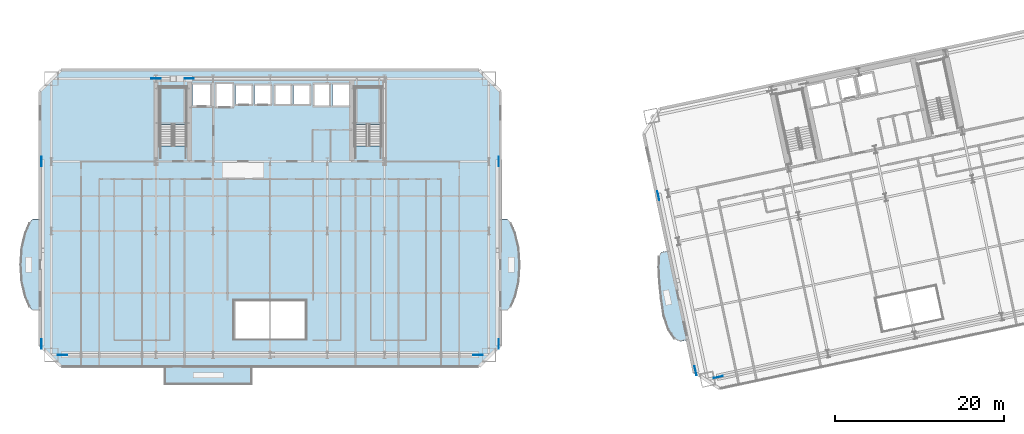
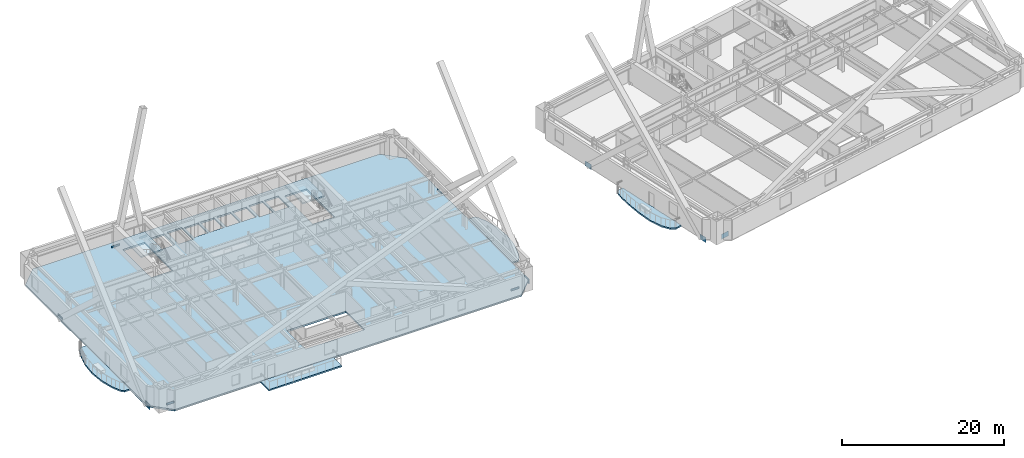
# One storey, part 5 of 20: 11 plates, 7 slabs, 2 elements without a shape of their own.
"""IFC4 building model written with IfcOpenShell, lengths in metres."""

from ifc_helpers import new_model, si_unit, direction, frame, origin, origin_2d, place, context, subcontext, project, spatial, polyline, rectangle, outline, extrude, material, layer, layer_set, type_object, element, aggregate, save


model = new_model("IFC4")

# Units and contexts
model_context = context("Model", 3, precision=1e-05, world=origin(), true_north=direction((0.0, 1.0)))
body_context = subcontext(model_context, "Body", "Model", "MODEL_VIEW")
ifc_project = project(units=[si_unit("LENGTHUNIT", "METRE"), si_unit("AREAUNIT", "SQUARE_METRE"), si_unit("VOLUMEUNIT", "CUBIC_METRE"), si_unit("PLANEANGLEUNIT", "RADIAN"), si_unit("MASSUNIT", "GRAM", prefix="KILO")], contexts=[model_context])

# Site, building, storey
site_placement = place(None, origin())
site = spatial("IfcSite", under=ifc_project, at=site_placement, CompositionType="ELEMENT")
building_placement = place(site_placement, origin())
building = spatial("IfcBuilding", under=site, at=building_placement, Name="Haevon Station Towers", CompositionType="ELEMENT")
storey_placement = place(building_placement, frame((0.0, 0.0, 30.60009765625)))
storey = spatial("IfcBuildingStorey", under=building, at=storey_placement, Name="L06", CompositionType="ELEMENT", Elevation=30.60009765625)

# Plates
ifc_material_1 = material(Name="PL-SPL1", Category="steel")
ifc_layer_1 = layer(ifc_material_1, 0.031982421875)
ifc_layer_set_1 = layer_set([ifc_layer_1], Name="PL-SPL1")
plate_type = type_object("IfcPlateType", Name="PL-SPL1", PredefinedType="USERDEFINED", material=ifc_layer_set_1)
for number, where, z_axis, x_axis, name in (
    (1, (12.949951171875, 15.35009765625, -0.4951171875), (0.0, 0.0, 1.0), (1.0, 0.0, 0.0), "PL-T1SPL-T00-S-1"),
    (2, (62.050048828125, 15.35009765625, -0.4951171875), (0.0, 0.0, 1.0), (1.0, 0.0, 0.0), "PL-T1SPL-T00-S-2"),
    (3, (24.0, 48.0, -0.4951171875), (0.0, 0.0, 1.0), (1.0, 0.0, 0.0), "PL-T1SPL-T00-N-1"),
    (4, (27.949951171875, 48.0, -0.4951171875), (0.0, 0.0, 1.0), (1.0, 0.0, 0.0), "PL-T1SPL-T00-N-2"),
    (5, (10.47998046875, 16.64990234375, -0.4951171875), (0.0, 0.0, 1.0), (0.0, 1.0, 0.0), "PL-T1SPL-T00-W-1"),
    (6, (10.47998046875, 38.199951171875, -0.4951171875), (0.0, 0.0, 1.0), (0.0, 1.0, 0.0), "PL-T1SPL-T00-W-2"),
    (7, (64.52001953125, 16.64990234375, -0.4951171875), (0.0, 0.0, 1.0), (0.0, 1.0, 0.0), "PL-T1SPL-T00-E-1"),
    (8, (64.52001953125, 38.199951171875, -0.4951171875), (0.0, 0.0, 1.0), (0.0, 1.0, 0.0), "PL-T1SPL-T00-E-2"),
    (9, (90.45947265625, 12.728271484375, -0.4951171875), (0.0, 0.0, 1.0), (0.978147600734, 0.207911690818, 0.0), "PL-T2SPL-T00-S-1"),
    (10, (87.773193359375, 13.486328125, -0.4951171875), (0.0, 0.0, 1.0), (-0.207911690818, 0.978147600734, 0.0), "PL-T2SPL-T00-W-1"),
    (11, (83.3759765625, 34.174072265625, -0.4951171875), (0.0, 0.0, 1.0), (-0.207911690818, 0.978147600734, 0.0), "PL-T2SPL-T00-W-2"),
):
    element("IfcPlate", number, at=place(storey_placement, frame(where, z_axis=z_axis, x_axis=x_axis)), inside=storey, type_object=plate_type, Name=name, ObjectType="SPLICE_PLATE", PredefinedType="USERDEFINED", context=body_context, shape_type="SweptSolid", body=[
        extrude(rectangle(XDim=1.10009765625, YDim=0.031982421875, at=origin_2d()), origin(), (0.0, 0.0, 1.0), 0.75),
    ])

# Slabs
ifc_material_2 = material(Name="Concrete C40/50", Category="concrete")
ifc_layer_2 = layer(ifc_material_2, 0.219970703125)
ifc_layer_set_2 = layer_set([ifc_layer_2], Name="Concrete C40/50")
slab_type_1 = type_object("IfcSlabType", Name="SL-BALC220", PredefinedType="FLOOR", material=ifc_layer_set_2)
slab_1_placement = place(storey_placement, frame((0.0, 0.0, -0.22021484375)))
element("IfcSlab", 12, at=slab_1_placement, inside=storey, type_object=slab_type_1, Name="Tower 1 L06 West SCALLOPED BALCONY", PredefinedType="FLOOR", context=body_context, shape_type="SweptSolid", body=[
    extrude(outline(polyline([(10.294921875, 31.39990234375), (9.445068359375, 31.39990234375), (9.06201171875, 30.989013671875), (8.5517578125, 29.818359375), (8.1162109375, 28.06640625), (7.941162109375, 26.0), (8.1162109375, 23.93359375), (8.5517578125, 22.181640625), (9.06201171875, 21.010986328125), (9.445068359375, 20.60009765625), (10.294921875, 20.60009765625), (10.294921875, 31.39990234375)])), origin(), (0.0, 0.0, 1.0), 0.22021484375),
])
slab_2_placement = place(storey_placement, frame((0.0, 0.0, -0.22021484375)))
element("IfcSlab", 13, at=slab_2_placement, inside=storey, type_object=slab_type_1, Name="Tower 1 L06 East SCALLOPED BALCONY", PredefinedType="FLOOR", context=body_context, shape_type="SweptSolid", body=[
    extrude(outline(polyline([(64.705078125, 20.60009765625), (65.554931640625, 20.60009765625), (65.93798828125, 21.010986328125), (66.4482421875, 22.181640625), (66.8837890625, 23.93359375), (67.058837890625, 26.0), (66.8837890625, 28.06640625), (66.4482421875, 29.818359375), (65.93798828125, 30.989013671875), (65.554931640625, 31.39990234375), (64.705078125, 31.39990234375), (64.705078125, 20.60009765625)])), origin(), (0.0, 0.0, 1.0), 0.22021484375),
])
slab_3_placement = place(storey_placement, frame((0.0, 0.0, -0.22021484375)))
element("IfcSlab", 14, at=slab_3_placement, inside=storey, type_object=slab_type_1, Name="Tower 1 L06 Planted Balcony Band", PredefinedType="FLOOR", context=body_context, shape_type="SweptSolid", body=[
    extrude(outline(polyline([(25.0, 11.89990234375), (35.39990234375, 11.89990234375), (35.39990234375, 13.9951171875), (25.0, 13.9951171875), (25.0, 11.89990234375)])), origin(), (0.0, 0.0, 1.0), 0.22021484375),
])
slab_4_placement = place(storey_placement, frame((0.0, 0.0, -0.22021484375)))
element("IfcSlab", 15, at=slab_4_placement, inside=storey, type_object=slab_type_1, Name="Tower 2 L06 West SCALLOPED BALCONY", PredefinedType="FLOOR", context=body_context, shape_type="SweptSolid", body=[
    extrude(outline(polyline([(84.567138671875, 27.6796875), (83.704345703125, 27.496337890625), (83.446533203125, 27.021484375), (83.396728515625, 25.814208984375), (83.464599609375, 24.037353515625), (83.6357421875, 21.961181640625), (83.98828125, 19.923583984375), (84.572509765625, 18.256591796875), (85.2958984375, 17.213623046875), (85.949951171875, 16.932373046875), (86.8125, 17.11572265625), (84.567138671875, 27.6796875)])), origin(), (0.0, 0.0, 1.0), 0.22021484375),
])

# Stair, slab
stair_type = type_object("IfcStairType", Name="STR-DL1450", PredefinedType="USERDEFINED", material=ifc_material_2)
stair_1_placement = place(storey_placement, origin())
stair_1 = element("IfcStair", 16, at=stair_1_placement, inside=storey, type_object=stair_type, Name="L06 Escape Stair ST1", ObjectType="TWO_RETURN_STAIR", PredefinedType="USERDEFINED")
ifc_layer_3 = layer(ifc_material_2, 0.199951171875)
ifc_layer_set_3 = layer_set([ifc_layer_3], Name="Concrete C40/50")
slab_type_2 = type_object("IfcSlabType", Name="SL-LND200", PredefinedType="LANDING", material=ifc_layer_set_3)
slab_5_placement = place(storey_placement, frame((0.0, 0.0, 1.449951171875)))
slab_5 = element("IfcSlab", 17, at=slab_5_placement, type_object=slab_type_2, Name="L06 ST1 Half Landing 1", PredefinedType="LANDING", context=body_context, shape_type="SweptSolid", body=[
    extrude(outline(polyline([(27.580078125, 42.56396484375), (27.580078125, 47.0), (24.47998046875, 47.0), (24.47998046875, 42.56396484375), (27.580078125, 42.56396484375)])), origin(), (0.0, 0.0, 1.0), 0.199951171875),
])
aggregate(stair_1, [slab_5])

stair_2_placement = place(storey_placement, origin())
stair_2 = element("IfcStair", 18, at=stair_2_placement, inside=storey, type_object=stair_type, Name="L06 Escape Stair ST2", ObjectType="TWO_RETURN_STAIR", PredefinedType="USERDEFINED")
slab_6_placement = place(storey_placement, frame((0.0, 0.0, 1.449951171875)))
slab_6 = element("IfcSlab", 19, at=slab_6_placement, type_object=slab_type_2, Name="L06 ST2 Half Landing 1", PredefinedType="LANDING", context=body_context, shape_type="SweptSolid", body=[
    extrude(outline(polyline([(50.6201171875, 42.56396484375), (50.6201171875, 47.0), (47.52001953125, 47.0), (47.52001953125, 42.56396484375), (50.6201171875, 42.56396484375)])), origin(), (0.0, 0.0, 1.0), 0.199951171875),
])
aggregate(stair_2, [slab_6])

# Slab
ifc_layer_4 = layer(ifc_material_2, 0.25)
ifc_layer_set_4 = layer_set([ifc_layer_4], Name="Concrete C40/50")
slab_type_3 = type_object("IfcSlabType", Name="SL-TW250", PredefinedType="FLOOR", material=ifc_layer_set_4)
slab_7_placement = place(storey_placement, frame((0.0, 0.0, -0.25)))
element("IfcSlab", 20, at=slab_7_placement, inside=storey, type_object=slab_type_3, Name="SL-T1-L06", PredefinedType="FLOOR", context=body_context, shape_type="SweptSolid", body=[
    extrude(outline(polyline([(12.800048828125, 14.0), (62.199951171875, 14.0), (64.699951171875, 16.5), (64.699951171875, 46.5), (62.199951171875, 49.0), (12.800048828125, 49.0), (10.300048828125, 46.5), (10.300048828125, 16.5), (12.800048828125, 14.0)]), holes=[polyline([(27.580078125, 40.055908203125), (27.580078125, 47.0), (24.47998046875, 47.0), (24.47998046875, 40.055908203125), (27.580078125, 40.055908203125)]), polyline([(50.6201171875, 40.055908203125), (50.6201171875, 47.0), (47.52001953125, 47.0), (47.52001953125, 40.055908203125), (50.6201171875, 40.055908203125)]), polyline([(28.300048828125, 44.699951171875), (30.5, 44.699951171875), (30.5, 47.39990234375), (28.300048828125, 47.39990234375), (28.300048828125, 44.699951171875)]), polyline([(31.050048828125, 44.60009765625), (33.14990234375, 44.60009765625), (33.14990234375, 47.5), (31.050048828125, 47.5), (31.050048828125, 44.60009765625)]), polyline([(33.39990234375, 44.89990234375), (35.39990234375, 44.89990234375), (35.39990234375, 47.300048828125), (33.39990234375, 47.300048828125), (33.39990234375, 44.89990234375)]), polyline([(35.64990234375, 44.89990234375), (37.64990234375, 44.89990234375), (37.64990234375, 47.300048828125), (35.64990234375, 47.300048828125), (35.64990234375, 44.89990234375)]), polyline([(38.0, 44.89990234375), (40.0, 44.89990234375), (40.0, 47.300048828125), (38.0, 47.300048828125), (38.0, 44.89990234375)]), polyline([(40.25, 44.89990234375), (42.25, 44.89990234375), (42.25, 47.300048828125), (40.25, 47.300048828125), (40.25, 44.89990234375)]), polyline([(42.60009765625, 44.699951171875), (44.60009765625, 44.699951171875), (44.60009765625, 47.39990234375), (42.60009765625, 47.39990234375), (42.60009765625, 44.699951171875)]), polyline([(44.85009765625, 44.699951171875), (46.85009765625, 44.699951171875), (46.85009765625, 47.39990234375), (44.85009765625, 47.39990234375), (44.85009765625, 44.699951171875)]), polyline([(33.300048828125, 17.199951171875), (41.699951171875, 17.199951171875), (41.699951171875, 21.800048828125), (33.300048828125, 21.800048828125), (33.300048828125, 17.199951171875)])]), origin(), (0.0, 0.0, 1.0), 0.25),
])

save(model, "model.ifc")
